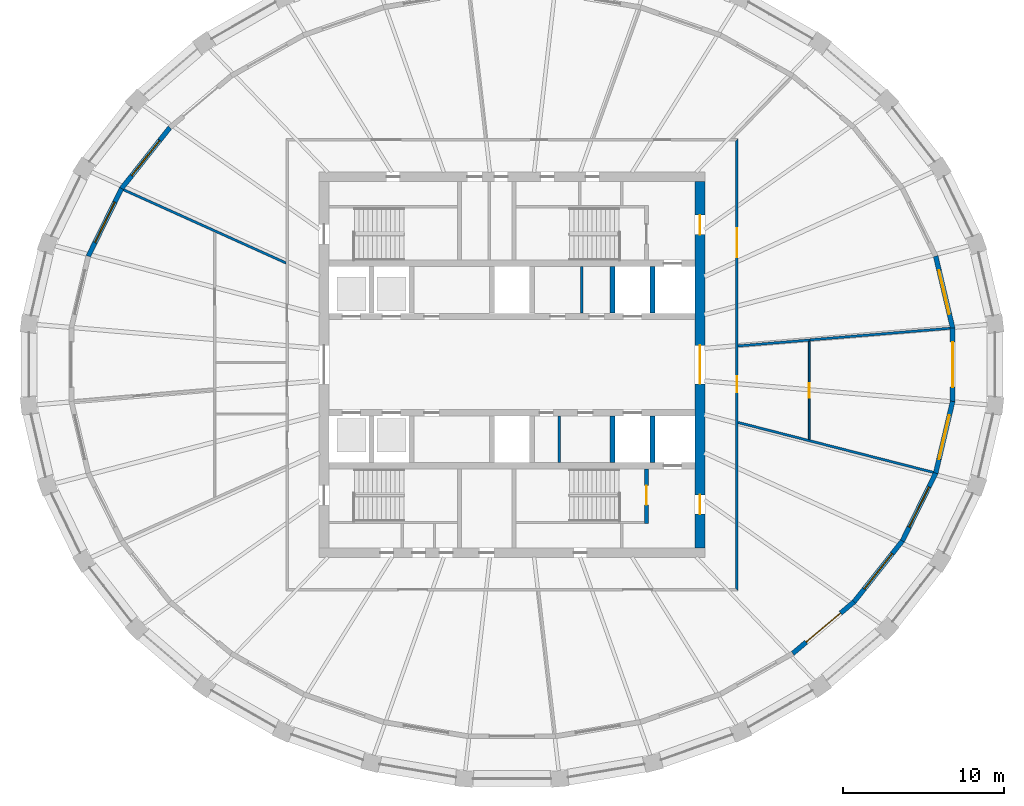
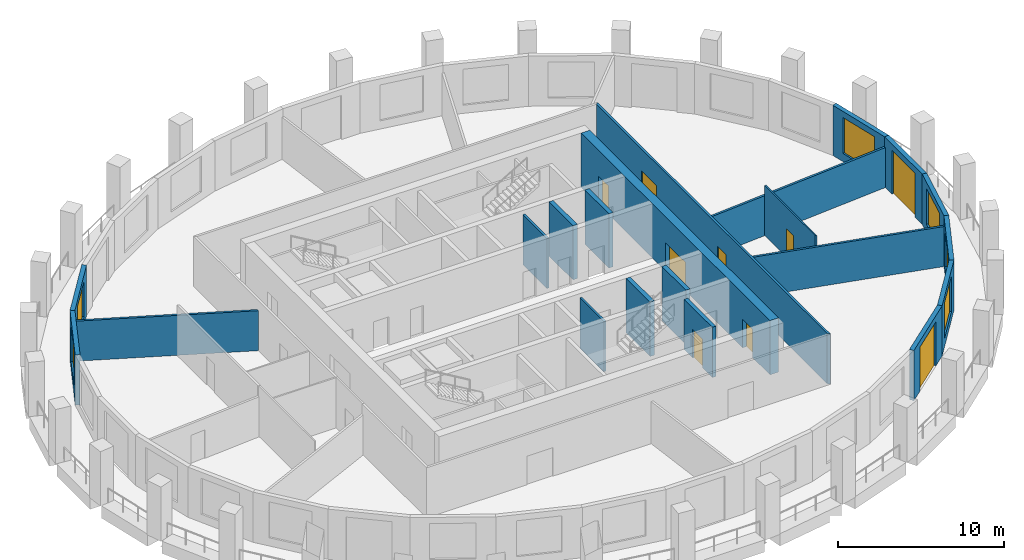
# One storey, part 5 of 10: 22 walls, 9 doors, 6 windows, 15 openings.
"""IFC4 building model written with IfcOpenShell, lengths in metres."""

from ifc_helpers import new_model, si_unit, direction, frame, frame_2d, origin, place, context, subcontext, project, spatial, polyline, rectangle, outline, extrude, material, layer, layer_set, type_object, element, fill, save


model = new_model("IFC4")

# Units and contexts
model_context = context("Model", 3, precision=1e-05, world=origin(), true_north=direction((0.0, 1.0)))
body_context = subcontext(model_context, "Body", "Model", "MODEL_VIEW")
ifc_project = project(units=[si_unit("LENGTHUNIT", "METRE"), si_unit("AREAUNIT", "SQUARE_METRE"), si_unit("VOLUMEUNIT", "CUBIC_METRE"), si_unit("PLANEANGLEUNIT", "RADIAN"), si_unit("MASSUNIT", "GRAM", prefix="KILO")], contexts=[model_context])

# Site, building, storey
site_placement = place(None, origin())
site = spatial("IfcSite", under=ifc_project, at=site_placement, CompositionType="ELEMENT")
building_placement = place(site_placement, origin())
building = spatial("IfcBuilding", under=site, at=building_placement, Name="Halqa Exchange Tower", CompositionType="ELEMENT")
storey_placement = place(building_placement, frame((0.0, 0.0, 256.300048828125)))
storey = spatial("IfcBuildingStorey", under=building, at=storey_placement, Name="L59", CompositionType="ELEMENT", Elevation=256.300048828125)

# Wall
ifc_material_1 = material(Name="Fire-rated gypsum board")
ifc_layer_1 = layer(ifc_material_1, 0.14990234375)
ifc_layer_set_1 = layer_set([ifc_layer_1], Name="Fire-rated gypsum board")
wall_type_1 = type_object("IfcWallType", Name="Fire partition EI 60 150", PredefinedType="PARTITIONING", material=ifc_layer_set_1)
wall_1_placement = place(storey_placement, frame((-24.17626953125, 10.88671875, 0.0), z_axis=(0.0, 0.0, 1.0), x_axis=(0.911671004153, -0.410920892857, 0.0)))
element("IfcWall", 1, at=wall_1_placement, inside=storey, type_object=wall_type_1, Name="L59-PWL-002", PredefinedType="PARTITIONING", context=body_context, shape_type="SweptSolid", body=[
    extrude(outline(polyline([(0.0, -0.074951171875), (1.583984375, -0.074951171875), (3.167724609375, -0.074951171875), (4.751708984375, -0.074951171875), (6.33544921875, -0.074951171875), (6.341064453125, -0.072509765625), (6.34228515625, -0.074951171875), (7.9326171875, -0.074951171875), (9.52294921875, -0.074951171875), (11.11328125, -0.074951171875), (11.11328125, -0.073974609375), (11.09716796875, -0.038330078125), (11.09716796875, -0.038330078125), (11.046142578125, 0.074951171875), (9.20849609375, 0.074951171875), (7.37109375, 0.074951171875), (5.533447265625, 0.074951171875), (3.69580078125, 0.074951171875), (1.8583984375, 0.074951171875), (0.020751953125, 0.074951171875), (0.002197265625, 0.0009765625), (0.0, -0.0625), (0.0, -0.074951171875)])), origin(), (0.0, 0.0, 1.0), 2.947021484375),
])

# Wall, openings, doors
wall_2_placement = place(storey_placement, frame((14.0, -14.074951171875, 0.0), z_axis=(0.0, 0.0, 1.0), x_axis=(0.0, 1.0, 0.0)))
wall_2 = element("IfcWall", 2, at=wall_2_placement, inside=storey, type_object=wall_type_1, Name="L59-PWL-017", PredefinedType="PARTITIONING", context=body_context, shape_type="SweptSolid", body=[
    extrude(outline(polyline([(0.0, -0.074951171875), (1.876708984375, -0.074951171875), (3.75341796875, -0.074951171875), (5.6298828125, -0.074951171875), (7.506591796875, -0.074951171875), (9.38330078125, -0.074951171875), (11.260009765625, -0.074951171875), (13.13671875, -0.074951171875), (15.01318359375, -0.074951171875), (16.889892578125, -0.074951171875), (18.7666015625, -0.074951171875), (20.643310546875, -0.074951171875), (22.52001953125, -0.074951171875), (24.396484375, -0.074951171875), (26.273193359375, -0.074951171875), (28.14990234375, -0.074951171875), (28.0, 0.074951171875), (26.0107421875, 0.074951171875), (24.021484375, 0.074951171875), (22.0322265625, 0.074951171875), (20.042724609375, 0.074951171875), (18.053466796875, 0.074951171875), (16.064208984375, 0.074951171875), (14.074951171875, 0.074951171875), (12.085693359375, 0.074951171875), (10.096435546875, 0.074951171875), (8.107177734375, 0.074951171875), (6.11767578125, 0.074951171875), (4.12841796875, 0.074951171875), (2.13916015625, 0.074951171875), (0.14990234375, 0.074951171875), (0.0, -0.074951171875)])), origin(), (0.0, 0.0, 1.0), 3.699951171875),
])
opening_1_placement = place(wall_2_placement, frame((12.364990234375, 0.0, 0.0)))
opening_1 = element("IfcOpeningElement", 3, at=opening_1_placement, cuts=wall_2, Name="Opening 18-02", PredefinedType="OPENING", context=body_context, shape_type="SweptSolid", body=[
    extrude(rectangle(XDim=1.0, YDim=2.10009765625, at=frame_2d((0.5, 1.050048828125))), frame((0.0, 0.0869140625, 0.0), z_axis=(0.0, -1.0, 0.0), x_axis=(1.0, 0.0, 0.0)), (0.0, 0.0, 1.0), 0.173828125),
])
opening_2_placement = place(wall_2_placement, frame((20.7548828125, 0.0, 0.0)))
opening_2 = element("IfcOpeningElement", 4, at=opening_2_placement, cuts=wall_2, Name="Opening 18-03", PredefinedType="OPENING", context=body_context, shape_type="SweptSolid", body=[
    extrude(rectangle(XDim=1.800048828125, YDim=2.10009765625, at=frame_2d((0.89990234375, 1.050048828125))), frame((0.0, 0.0869140625, 0.0), z_axis=(0.0, -1.0, 0.0), x_axis=(1.0, 0.0, 0.0)), (0.0, 0.0, 1.0), 0.173828125),
])
ifc_material_2 = material(Name="Steel fire door leaf", Category="steel")
door_type_1 = type_object("IfcDoorType", Name="Fire door FD30S 1000 x 2100", OperationType="SINGLE_SWING_LEFT", PredefinedType="DOOR", material=ifc_material_2)
door_1_placement = place(opening_1_placement, frame((1.0, 0.0, 0.0), z_axis=(0.0, 0.0, 1.0), x_axis=(-1.0, 0.0, 0.0)))
door_1 = element("IfcDoor", 5, at=door_1_placement, inside=storey, type_object=door_type_1, Name="L59-IDR-002", OperationType="SINGLE_SWING_RIGHT", OverallHeight=2.10009765625, OverallWidth=1.0, PredefinedType="DOOR", context=body_context, shape_type="SweptSolid", body=[
    extrude(rectangle(XDim=1.0, YDim=2.10009765625, at=frame_2d((0.5, 1.050048828125))), frame((0.0, 0.02490234375, 0.0), z_axis=(0.0, -1.0, 0.0), x_axis=(1.0, 0.0, 0.0)), (0.0, 0.0, 1.0), 0.050048828125),
])
fill(opening_1, door_1)
door_type_2 = type_object("IfcDoorType", Name="Fire door FD30S double 1800 x 2100", OperationType="DOUBLE_DOOR_SINGLE_SWING", PredefinedType="DOOR", material=ifc_material_2)
door_2_placement = place(opening_2_placement, frame((1.800048828125, 0.0, 0.0), z_axis=(0.0, 0.0, 1.0), x_axis=(-1.0, 0.0, 0.0)))
door_2 = element("IfcDoor", 6, at=door_2_placement, inside=storey, type_object=door_type_2, Name="L59-IDR-003", OperationType="DOUBLE_DOOR_SINGLE_SWING", OverallHeight=2.10009765625, OverallWidth=1.800048828125, PredefinedType="DOOR", context=body_context, shape_type="SweptSolid", body=[
    extrude(rectangle(XDim=1.800048828125, YDim=2.10009765625, at=frame_2d((0.89990234375, 1.050048828125))), frame((0.0, 0.02490234375, 0.0), z_axis=(0.0, -1.0, 0.0), x_axis=(1.0, 0.0, 0.0)), (0.0, 0.0, 1.0), 0.050048828125),
])
fill(opening_2, door_2)

# Walls
wall_3_placement = place(storey_placement, frame((14.056640625, -3.594482421875, 0.0), z_axis=(0.0, 0.0, 1.0), x_axis=(0.968853358083, -0.24763515609, 0.0)))
element("IfcWall", 7, at=wall_3_placement, inside=storey, type_object=wall_type_1, Name="L59-PWL-018", PredefinedType="PARTITIONING", context=body_context, shape_type="SweptSolid", body=[
    extrude(outline(polyline([(0.0380859375, -0.074951171875), (1.8251953125, -0.074951171875), (3.612548828125, -0.074951171875), (5.399658203125, -0.074951171875), (7.186767578125, -0.074951171875), (8.973876953125, -0.074951171875), (10.76123046875, -0.074951171875), (12.54833984375, -0.074951171875), (12.563232421875, -0.003662109375), (12.563232421875, 0.066162109375), (12.56298828125, 0.074951171875), (10.768310546875, 0.074951171875), (8.9736328125, 0.074951171875), (7.178955078125, 0.074951171875), (5.38427734375, 0.074951171875), (3.58935546875, 0.074951171875), (1.794677734375, 0.074951171875), (0.0, 0.074951171875), (0.0, 0.07421875), (0.0380859375, -0.074951171875)])), origin(), (0.0, 0.0, 1.0), 2.947021484375),
])
wall_4_placement = place(storey_placement, frame((14.0693359375, 1.165771484375, 0.0), z_axis=(0.0, 0.0, 1.0), x_axis=(0.996636539938, 0.081948808782, 0.0)))
element("IfcWall", 8, at=wall_4_placement, inside=storey, type_object=wall_type_1, Name="L59-PWL-019", PredefinedType="PARTITIONING", context=body_context, shape_type="SweptSolid", body=[
    extrude(outline(polyline([(4.49560546875, -0.074951171875), (4.49560546875, -0.0029296875), (4.49560546875, 0.074951171875), (3.0009765625, 0.074951171875), (1.50634765625, 0.074951171875), (0.011962890625, 0.074951171875), (0.0, -0.069091796875), (0.0, -0.074951171875), (1.49853515625, -0.074951171875), (2.9970703125, -0.074951171875), (4.49560546875, -0.074951171875)])), origin(), (0.0, 0.0, 1.0), 2.947021484375),
])
wall_5_placement = place(storey_placement, frame((18.549072265625, 1.5439453125, 0.0), z_axis=(0.0, 0.0, 1.0), x_axis=(0.996604371019, 0.082339101686, 0.0)))
element("IfcWall", 9, at=wall_5_placement, inside=storey, type_object=wall_type_1, Name="L59-PWL-020", PredefinedType="PARTITIONING", context=body_context, shape_type="SweptSolid", body=[
    extrude(outline(polyline([(8.7529296875, -0.074951171875), (8.7529296875, 0.0390625), (8.74755859375, 0.074951171875), (6.998046875, 0.074951171875), (5.24853515625, 0.074951171875), (3.4990234375, 0.074951171875), (1.74951171875, 0.074951171875), (0.0, 0.074951171875), (0.0, -0.074951171875), (1.75048828125, -0.074951171875), (3.501220703125, -0.074951171875), (5.251708984375, -0.074951171875), (7.00244140625, -0.074951171875), (8.7529296875, -0.074951171875)])), origin(), (0.0, 0.0, 1.0), 2.947021484375),
])

# Wall, opening, door
ifc_material_3 = material(Name="Gypsum board")
ifc_layer_2 = layer(ifc_material_3, 0.10009765625)
ifc_layer_set_2 = layer_set([ifc_layer_2], Name="Gypsum board")
wall_type_2 = type_object("IfcWallType", Name="Partition 100 gypsum", PredefinedType="PARTITIONING", material=ifc_layer_set_2)
wall_6_placement = place(storey_placement, frame((18.5, 1.45849609375, 0.0), z_axis=(0.0, 0.0, 1.0), x_axis=(0.0, -1.0, 0.0)))
wall_6 = element("IfcWall", 10, at=wall_6_placement, inside=storey, type_object=wall_type_2, Name="L59-PWL-021", PredefinedType="PARTITIONING", context=body_context, shape_type="SweptSolid", body=[
    extrude(outline(polyline([(0.0078125, -0.050048828125), (1.530517578125, -0.050048828125), (3.05322265625, -0.050048828125), (4.575927734375, -0.050048828125), (6.098388671875, -0.050048828125), (6.1240234375, 0.050048828125), (6.1240234375, 0.050048828125), (4.593017578125, 0.050048828125), (3.06201171875, 0.050048828125), (1.531005859375, 0.050048828125), (0.0, 0.050048828125), (0.0, 0.046142578125), (0.0078125, -0.050048828125)])), origin(), (0.0, 0.0, 1.0), 3.699951171875),
])
opening_3_placement = place(wall_6_placement, frame((2.6083984375, 0.0, 0.0)))
opening_3 = element("IfcOpeningElement", 11, at=opening_3_placement, cuts=wall_6, Name="Opening 18-11", PredefinedType="OPENING", context=body_context, shape_type="SweptSolid", body=[
    extrude(rectangle(XDim=0.89990234375, YDim=2.10009765625, at=frame_2d((0.449951171875, 1.050048828125))), frame((0.0, 0.06201171875, 0.0), z_axis=(0.0, -1.0, 0.0), x_axis=(1.0, 0.0, 0.0)), (0.0, 0.0, 1.0), 0.1240234375),
])
ifc_material_4 = material(Name="Timber door leaf", Category="wood")
door_type_3 = type_object("IfcDoorType", Name="Door 900 x 2100", OperationType="SINGLE_SWING_LEFT", PredefinedType="DOOR", material=ifc_material_4)
door_3_placement = place(opening_3_placement, frame((0.89990234375, 0.0, 0.0), z_axis=(0.0, 0.0, 1.0), x_axis=(-1.0, 0.0, 0.0)))
door_3 = element("IfcDoor", 12, at=door_3_placement, inside=storey, type_object=door_type_3, Name="L59-IDR-011", OperationType="SINGLE_SWING_LEFT", OverallHeight=2.10009765625, OverallWidth=0.89990234375, PredefinedType="DOOR", context=body_context, shape_type="SweptSolid", body=[
    extrude(rectangle(XDim=0.89990234375, YDim=2.10009765625, at=frame_2d((0.449951171875, 1.050048828125))), frame((0.0, 0.02490234375, 0.0), z_axis=(0.0, -1.0, 0.0), x_axis=(1.0, 0.0, 0.0)), (0.0, 0.0, 1.0), 0.050048828125),
])
fill(opening_3, door_3)

# Walls
ifc_layer_3 = layer(ifc_material_3, 0.14990234375)
ifc_layer_set_3 = layer_set([ifc_layer_3], Name="Gypsum board")
wall_type_3 = type_object("IfcWallType", Name="Penthouse riser wall 150 gypsum", PredefinedType="PARTITIONING", material=ifc_layer_set_3)
for number, where, z_axis, x_axis, name in (
    (13, (4.35009765625, 3.199951171875, 0.0), (0.0, 0.0, 1.0), (0.0, 1.0, 0.0), "Freed bay partition NE4.350"),
    (14, (2.949951171875, -6.10009765625, 0.0), (0.0, 0.0, 1.0), (0.0, 1.0, 0.0), "Freed bay partition SE2.950"),
):
    element("IfcWall", number, at=place(storey_placement, frame(where, z_axis=z_axis, x_axis=x_axis)), inside=storey, type_object=wall_type_3, Name=name, PredefinedType="PARTITIONING", context=body_context, shape_type="SweptSolid", body=[
        extrude(rectangle(XDim=2.900146484375, YDim=0.14990234375, at=frame_2d((1.4501953125, 0.0))), origin(), (0.0, 0.0, 1.0), 3.699951171875),
    ])
ifc_material_5 = material(Name="Concrete C60/75", Category="concrete")
ifc_layer_4 = layer(ifc_material_5, 0.300048828125)
ifc_layer_set_4 = layer_set([ifc_layer_4], Name="Concrete C60/75")
wall_type_4 = type_object("IfcWallType", Name="RC core wall 300", PredefinedType="SHEAR", material=ifc_layer_set_4)
for number, where, z_axis, x_axis, name in (
    (15, (6.25, 3.199951171875, 0.0), (0.0, 0.0, 1.0), (0.0, 1.0, 0.0), "Shaft divider N7"),
    (16, (8.75, 3.199951171875, 0.0), (0.0, 0.0, 1.0), (0.0, 1.0, 0.0), "Shaft divider N8"),
    (17, (6.25, -6.10009765625, 0.0), (0.0, 0.0, 1.0), (0.0, 1.0, 0.0), "Shaft divider S7"),
    (18, (8.75, -6.10009765625, 0.0), (0.0, 0.0, 1.0), (0.0, 1.0, 0.0), "Shaft divider S8"),
):
    element("IfcWall", number, at=place(storey_placement, frame(where, z_axis=z_axis, x_axis=x_axis)), inside=storey, type_object=wall_type_4, Name=name, PredefinedType="SHEAR", context=body_context, shape_type="SweptSolid", body=[
        extrude(rectangle(XDim=2.900146484375, YDim=0.300048828125, at=frame_2d((1.4501953125, 0.0))), origin(), (0.0, 0.0, 1.0), 4.0),
    ])

# Wall, openings, doors
ifc_layer_5 = layer(ifc_material_5, 0.60009765625)
ifc_layer_set_5 = layer_set([ifc_layer_5], Name="Concrete C60/75")
wall_type_5 = type_object("IfcWallType", Name="RC core wall 600 C60/75", PredefinedType="SHEAR", material=ifc_layer_set_5)
wall_7_placement = place(storey_placement, frame((11.699951171875, -11.39990234375, 0.0), z_axis=(0.0, 0.0, 1.0), x_axis=(0.0, 1.0, 0.0)))
wall_7 = element("IfcWall", 19, at=wall_7_placement, inside=storey, type_object=wall_type_5, Name="Core wall east", PredefinedType="SHEAR", context=body_context, shape_type="SweptSolid", body=[
    extrude(rectangle(XDim=22.7998046875, YDim=0.60009765625, at=frame_2d((11.39990234375, 0.0))), origin(), (0.0, 0.0, 1.0), 4.0),
])
opening_4_placement = place(wall_7_placement, frame((10.199951171875, 0.0, 0.0)))
opening_4 = element("IfcOpeningElement", 20, at=opening_4_placement, cuts=wall_7, Name="Opening T18-C10", PredefinedType="OPENING", context=body_context, shape_type="SweptSolid", body=[
    extrude(rectangle(XDim=2.39990234375, YDim=2.10009765625, at=frame_2d((1.199951171875, 1.050048828125))), frame((0.0, 0.31201171875, 0.0), z_axis=(0.0, -1.0, 0.0), x_axis=(1.0, 0.0, 0.0)), (0.0, 0.0, 1.0), 0.6240234375),
])
opening_5_placement = place(wall_7_placement, frame((19.5, 0.0, 0.0)))
opening_5 = element("IfcOpeningElement", 21, at=opening_5_placement, cuts=wall_7, Name="Opening T18-C15", PredefinedType="OPENING", context=body_context, shape_type="SweptSolid", body=[
    extrude(rectangle(XDim=1.199951171875, YDim=2.10009765625, at=frame_2d((0.60009765625, 1.050048828125))), frame((0.0, 0.31201171875, 0.0), z_axis=(0.0, -1.0, 0.0), x_axis=(1.0, 0.0, 0.0)), (0.0, 0.0, 1.0), 0.6240234375),
])
opening_6_placement = place(wall_7_placement, frame((2.10009765625, 0.0, 0.0)))
opening_6 = element("IfcOpeningElement", 22, at=opening_6_placement, cuts=wall_7, Name="Opening T18-C16", PredefinedType="OPENING", context=body_context, shape_type="SweptSolid", body=[
    extrude(rectangle(XDim=1.199951171875, YDim=2.10009765625, at=frame_2d((0.60009765625, 1.050048828125))), frame((0.0, 0.31201171875, 0.0), z_axis=(0.0, -1.0, 0.0), x_axis=(1.0, 0.0, 0.0)), (0.0, 0.0, 1.0), 0.6240234375),
])
door_type_4 = type_object("IfcDoorType", Name="Firefighting lobby door FD90 1200 x 2100", OperationType="SINGLE_SWING_RIGHT", PredefinedType="DOOR", material=ifc_material_2)
door_4_placement = place(opening_5_placement, origin())
door_4 = element("IfcDoor", 23, at=door_4_placement, inside=storey, type_object=door_type_4, Name="Firefighting lobby door", OperationType="SINGLE_SWING_RIGHT", OverallHeight=2.10009765625, OverallWidth=1.199951171875, PredefinedType="DOOR", context=body_context, shape_type="SweptSolid", body=[
    extrude(rectangle(XDim=1.199951171875, YDim=2.10009765625, at=frame_2d((0.60009765625, 1.050048828125))), frame((0.0, 0.02490234375, 0.0), z_axis=(0.0, -1.0, 0.0), x_axis=(1.0, 0.0, 0.0)), (0.0, 0.0, 1.0), 0.050048828125),
])
fill(opening_5, door_4)
door_5_placement = place(opening_6_placement, origin())
door_5 = element("IfcDoor", 24, at=door_5_placement, inside=storey, type_object=door_type_4, Name="Firefighting lobby door", OperationType="SINGLE_SWING_LEFT", OverallHeight=2.10009765625, OverallWidth=1.199951171875, PredefinedType="DOOR", context=body_context, shape_type="SweptSolid", body=[
    extrude(rectangle(XDim=1.199951171875, YDim=2.10009765625, at=frame_2d((0.60009765625, 1.050048828125))), frame((0.0, 0.02490234375, 0.0), z_axis=(0.0, -1.0, 0.0), x_axis=(1.0, 0.0, 0.0)), (0.0, 0.0, 1.0), 0.050048828125),
])
fill(opening_6, door_5)
door_type_5 = type_object("IfcDoorType", Name="Lobby double door FD60 2400 x 2100", OperationType="DOUBLE_DOOR_SINGLE_SWING", PredefinedType="DOOR", material=ifc_material_2)
door_6_placement = place(opening_4_placement, origin())
door_6 = element("IfcDoor", 25, at=door_6_placement, inside=storey, type_object=door_type_5, Name="Lift lobby double door", OperationType="DOUBLE_DOOR_SINGLE_SWING", OverallHeight=2.10009765625, OverallWidth=2.39990234375, PredefinedType="DOOR", context=body_context, shape_type="SweptSolid", body=[
    extrude(rectangle(XDim=2.39990234375, YDim=2.10009765625, at=frame_2d((1.199951171875, 1.050048828125))), frame((0.0, 0.02490234375, 0.0), z_axis=(0.0, -1.0, 0.0), x_axis=(1.0, 0.0, 0.0)), (0.0, 0.0, 1.0), 0.050048828125),
])
fill(opening_4, door_6)

# Wall, opening, door
ifc_material_6 = material(Name="Concrete C30/37", Category="concrete")
ifc_layer_6 = layer(ifc_material_6, 0.25)
ifc_layer_set_6 = layer_set([ifc_layer_6], Name="Concrete C30/37")
wall_type_6 = type_object("IfcWallType", Name="RC stair wall 250 C30/37", PredefinedType="SHEAR", material=ifc_layer_set_6)
wall_8_placement = place(storey_placement, frame((8.375, -9.89990234375, 0.0), z_axis=(0.0, 0.0, 1.0), x_axis=(0.0, 1.0, 0.0)))
wall_8 = element("IfcWall", 26, at=wall_8_placement, inside=storey, type_object=wall_type_6, Name="Stair ST2 east wall S", PredefinedType="SHEAR", context=body_context, shape_type="SweptSolid", body=[
    extrude(rectangle(XDim=3.39990234375, YDim=0.25, at=frame_2d((1.699951171875, 0.0))), origin(), (0.0, 0.0, 1.0), 3.699951171875),
])
opening_7_placement = place(wall_8_placement, frame((1.175048828125, 0.0, 0.0)))
opening_7 = element("IfcOpeningElement", 27, at=opening_7_placement, cuts=wall_8, Name="Opening T18-C14", PredefinedType="OPENING", context=body_context, shape_type="SweptSolid", body=[
    extrude(rectangle(XDim=1.199951171875, YDim=2.10009765625, at=frame_2d((0.60009765625, 1.050048828125))), frame((0.0, 0.136962890625, 0.0), z_axis=(0.0, -1.0, 0.0), x_axis=(1.0, 0.0, 0.0)), (0.0, 0.0, 1.0), 0.27392578125),
])
door_type_6 = type_object("IfcDoorType", Name="Stair door FD90 1200 x 2100", OperationType="SINGLE_SWING_LEFT", PredefinedType="DOOR", material=ifc_material_2)
door_7_placement = place(opening_7_placement, origin())
door_7 = element("IfcDoor", 28, at=door_7_placement, inside=storey, type_object=door_type_6, Name="Stair door ST4", OperationType="SINGLE_SWING_RIGHT", OverallHeight=2.10009765625, OverallWidth=1.199951171875, PredefinedType="DOOR", context=body_context, shape_type="SweptSolid", body=[
    extrude(rectangle(XDim=1.199951171875, YDim=2.10009765625, at=frame_2d((0.60009765625, 1.050048828125))), frame((0.0, 0.02490234375, 0.0), z_axis=(0.0, -1.0, 0.0), x_axis=(1.0, 0.0, 0.0)), (0.0, 0.0, 1.0), 0.050048828125),
])
fill(opening_7, door_7)

# Wall, opening, window
ifc_material_7 = material(Name="Limestone cladding", Category="masonry")
ifc_layer_7 = layer(ifc_material_7, 0.0400390625)
ifc_material_8 = material(Name="Ventilated cavity")
ifc_layer_8 = layer(ifc_material_8, 0.030029296875, ventilated=True)
ifc_material_9 = material(Name="Mineral wool insulation")
ifc_layer_9 = layer(ifc_material_9, 0.10009765625)
ifc_layer_10 = layer(ifc_material_6, 0.10009765625)
ifc_material_10 = material(Name="Internal plaster")
ifc_layer_11 = layer(ifc_material_10, 0.030029296875)
ifc_layer_set_7 = layer_set([ifc_layer_7, ifc_layer_8, ifc_layer_9, ifc_layer_10, ifc_layer_11], Name="Stone-faced insulated wall 300")
wall_type_7 = type_object("IfcWallType", Name="Stone-faced insulated wall 300", PredefinedType="STANDARD", material=ifc_layer_set_7)
wall_9_placement = place(storey_placement, frame((27.428466796875, 2.28125, 0.0), z_axis=(0.0, 0.0, 1.0), x_axis=(-0.229767529411, 0.973245540667, 0.0)))
wall_9 = element("IfcWall", 29, at=wall_9_placement, inside=storey, type_object=wall_type_7, Name="Glass-line wall 1", PredefinedType="STANDARD", context=body_context, shape_type="SweptSolid", body=[
    extrude(outline(polyline([(-0.017578125, -0.14990234375), (4.613525390625, -0.14990234375), (4.579833984375, 0.14990234375), (0.017578125, 0.14990234375), (-0.017578125, -0.14990234375)])), origin(), (0.0, 0.0, 1.0), 3.699951171875),
])
opening_8_placement = place(wall_9_placement, frame((0.8984375, 0.0, 0.60009765625)))
opening_8 = element("IfcOpeningElement", 30, at=opening_8_placement, cuts=wall_9, Name="Opening W-F4-01", PredefinedType="OPENING", context=body_context, shape_type="SweptSolid", body=[
    extrude(rectangle(XDim=2.800048828125, YDim=2.64990234375, at=frame_2d((1.39990234375, 1.324951171875))), frame((0.0, 0.162109375, 0.0), z_axis=(0.0, -1.0, 0.0), x_axis=(1.0, 0.0, 0.0)), (0.0, 0.0, 1.0), 0.323974609375),
])
ifc_material_11 = material(Name="Clear low-emissivity glass in aluminium frame", Category="aluminium")
window_type = type_object("IfcWindowType", Name="Fixed clear glazed window 2800 x 2650", PartitioningType="DOUBLE_PANEL_VERTICAL", PredefinedType="WINDOW", material=ifc_material_11)
window_1_placement = place(opening_8_placement, origin())
window_1 = element("IfcWindow", 31, at=window_1_placement, inside=storey, type_object=window_type, Name="Window 4", OverallHeight=2.64990234375, OverallWidth=2.800048828125, PartitioningType="DOUBLE_PANEL_VERTICAL", PredefinedType="WINDOW", context=body_context, shape_type="SweptSolid", body=[
    extrude(rectangle(XDim=2.800048828125, YDim=2.64990234375, at=frame_2d((1.39990234375, 1.324951171875))), frame((0.0, 0.030029296875, 0.0), z_axis=(0.0, -1.0, 0.0), x_axis=(1.0, 0.0, 0.0)), (0.0, 0.0, 1.0), 0.06005859375),
])
fill(opening_8, window_1)

wall_10_placement = place(storey_placement, frame((-21.296875, 14.756103515625, 0.0), z_axis=(0.0, 0.0, 1.0), x_axis=(-0.621358373565, -0.783526497063, 0.0)))
wall_10 = element("IfcWall", 32, at=wall_10_placement, inside=storey, type_object=wall_type_7, Name="Glass-line wall 13", PredefinedType="STANDARD", context=body_context, shape_type="SweptSolid", body=[
    extrude(outline(polyline([(-0.01513671875, -0.14990234375), (4.851806640625, -0.14990234375), (4.819580078125, 0.14990234375), (0.01513671875, 0.14990234375), (-0.01513671875, -0.14990234375)])), origin(), (0.0, 0.0, 1.0), 3.699951171875),
])
opening_9_placement = place(wall_10_placement, frame((1.017578125, 0.0, 0.60009765625)))
opening_9 = element("IfcOpeningElement", 33, at=opening_9_placement, cuts=wall_10, Name="Opening W-F4-13", PredefinedType="OPENING", context=body_context, shape_type="SweptSolid", body=[
    extrude(rectangle(XDim=2.800048828125, YDim=2.64990234375, at=frame_2d((1.39990234375, 1.324951171875))), frame((0.0, 0.162109375, 0.0), z_axis=(0.0, -1.0, 0.0), x_axis=(1.0, 0.0, 0.0)), (0.0, 0.0, 1.0), 0.323974609375),
])
window_2_placement = place(opening_9_placement, origin())
window_2 = element("IfcWindow", 34, at=window_2_placement, inside=storey, type_object=window_type, Name="Window 4", OverallHeight=2.64990234375, OverallWidth=2.800048828125, PartitioningType="DOUBLE_PANEL_VERTICAL", PredefinedType="WINDOW", context=body_context, shape_type="SweptSolid", body=[
    extrude(rectangle(XDim=2.800048828125, YDim=2.64990234375, at=frame_2d((1.39990234375, 1.324951171875))), frame((0.0, 0.030029296875, 0.0), z_axis=(0.0, -1.0, 0.0), x_axis=(1.0, 0.0, 0.0)), (0.0, 0.0, 1.0), 0.06005859375),
])
fill(opening_9, window_2)

wall_11_placement = place(storey_placement, frame((-24.301513671875, 10.96728515625, 0.0), z_axis=(0.0, 0.0, 1.0), x_axis=(-0.441169971308, -0.89742356578, 0.0)))
wall_11 = element("IfcWall", 35, at=wall_11_placement, inside=storey, type_object=wall_type_7, Name="Glass-line wall 14", PredefinedType="STANDARD", context=body_context, shape_type="SweptSolid", body=[
    extrude(outline(polyline([(-0.01611328125, -0.14990234375), (4.710693359375, -0.14990234375), (4.677001953125, 0.14990234375), (0.01611328125, 0.14990234375), (-0.01611328125, -0.14990234375)])), origin(), (0.0, 0.0, 1.0), 3.699951171875),
])
opening_10_placement = place(wall_11_placement, frame((0.947021484375, 0.0, 0.60009765625)))
opening_10 = element("IfcOpeningElement", 36, at=opening_10_placement, cuts=wall_11, Name="Opening W-F4-14", PredefinedType="OPENING", context=body_context, shape_type="SweptSolid", body=[
    extrude(rectangle(XDim=2.800048828125, YDim=2.64990234375, at=frame_2d((1.39990234375, 1.324951171875))), frame((0.0, 0.162109375, 0.0), z_axis=(0.0, -1.0, 0.0), x_axis=(1.0, 0.0, 0.0)), (0.0, 0.0, 1.0), 0.323974609375),
])
window_3_placement = place(opening_10_placement, origin())
window_3 = element("IfcWindow", 37, at=window_3_placement, inside=storey, type_object=window_type, Name="Window 4", OverallHeight=2.64990234375, OverallWidth=2.800048828125, PartitioningType="DOUBLE_PANEL_VERTICAL", PredefinedType="WINDOW", context=body_context, shape_type="SweptSolid", body=[
    extrude(rectangle(XDim=2.800048828125, YDim=2.64990234375, at=frame_2d((1.39990234375, 1.324951171875))), frame((0.0, 0.030029296875, 0.0), z_axis=(0.0, -1.0, 0.0), x_axis=(1.0, 0.0, 0.0)), (0.0, 0.0, 1.0), 0.06005859375),
])
fill(opening_10, window_3)

# Wall, opening, door
wall_12_placement = place(storey_placement, frame((17.474853515625, -17.976318359375, 0.0), z_axis=(0.0, 0.0, 1.0), x_axis=(0.764746492461, 0.644331283013, 0.0)))
wall_12 = element("IfcWall", 38, at=wall_12_placement, inside=storey, type_object=wall_type_7, Name="Glass-line wall 28", PredefinedType="STANDARD", context=body_context, shape_type="SweptSolid", body=[
    extrude(outline(polyline([(-0.01416015625, -0.14990234375), (5.012939453125, -0.14990234375), (4.982666015625, 0.14990234375), (0.01416015625, 0.14990234375), (-0.01416015625, -0.14990234375)])), origin(), (0.0, 0.0, 1.0), 3.699951171875),
])
opening_11_placement = place(wall_12_placement, frame((1.098876953125, 0.0, 0.0)))
opening_11 = element("IfcOpeningElement", 39, at=opening_11_placement, cuts=wall_12, Name="Opening LG-F4-07", PredefinedType="OPENING", context=body_context, shape_type="SweptSolid", body=[
    extrude(rectangle(XDim=2.800048828125, YDim=3.25, at=frame_2d((1.39990234375, 1.625))), frame((0.0, 0.162109375, 0.0), z_axis=(0.0, -1.0, 0.0), x_axis=(1.0, 0.0, 0.0)), (0.0, 0.0, 1.0), 0.323974609375),
])
door_type_7 = type_object("IfcDoorType", Name="Glazed sliding loggia door 2800 x 3250", OperationType="DOUBLE_DOOR_SLIDING", PredefinedType="DOOR", material=ifc_material_11)
door_8_placement = place(opening_11_placement, origin())
door_8 = element("IfcDoor", 40, at=door_8_placement, inside=storey, type_object=door_type_7, Name="Loggia door 7", OperationType="DOUBLE_DOOR_SLIDING", OverallHeight=3.25, OverallWidth=2.800048828125, PredefinedType="DOOR", context=body_context, shape_type="SweptSolid", body=[
    extrude(rectangle(XDim=2.800048828125, YDim=3.25, at=frame_2d((1.39990234375, 1.625))), frame((0.0, 0.02490234375, 0.0), z_axis=(0.0, -1.0, 0.0), x_axis=(1.0, 0.0, 0.0)), (0.0, 0.0, 1.0), 0.050048828125),
])
fill(opening_11, door_8)

# Wall, opening, window
wall_13_placement = place(storey_placement, frame((21.296875, -14.756103515625, 0.0), z_axis=(0.0, 0.0, 1.0), x_axis=(0.621358373565, 0.783526497063, 0.0)))
wall_13 = element("IfcWall", 41, at=wall_13_placement, inside=storey, type_object=wall_type_7, Name="Glass-line wall 29", PredefinedType="STANDARD", context=body_context, shape_type="SweptSolid", body=[
    extrude(outline(polyline([(-0.01513671875, -0.14990234375), (4.851806640625, -0.14990234375), (4.819580078125, 0.14990234375), (0.01513671875, 0.14990234375), (-0.01513671875, -0.14990234375)])), origin(), (0.0, 0.0, 1.0), 3.699951171875),
])
opening_12_placement = place(wall_13_placement, frame((1.017578125, 0.0, 0.60009765625)))
opening_12 = element("IfcOpeningElement", 42, at=opening_12_placement, cuts=wall_13, Name="Opening W-F4-29", PredefinedType="OPENING", context=body_context, shape_type="SweptSolid", body=[
    extrude(rectangle(XDim=2.800048828125, YDim=2.64990234375, at=frame_2d((1.39990234375, 1.324951171875))), frame((0.0, 0.162109375, 0.0), z_axis=(0.0, -1.0, 0.0), x_axis=(1.0, 0.0, 0.0)), (0.0, 0.0, 1.0), 0.323974609375),
])
window_4_placement = place(opening_12_placement, origin())
window_4 = element("IfcWindow", 43, at=window_4_placement, inside=storey, type_object=window_type, Name="Window 4", OverallHeight=2.64990234375, OverallWidth=2.800048828125, PartitioningType="DOUBLE_PANEL_VERTICAL", PredefinedType="WINDOW", context=body_context, shape_type="SweptSolid", body=[
    extrude(rectangle(XDim=2.800048828125, YDim=2.64990234375, at=frame_2d((1.39990234375, 1.324951171875))), frame((0.0, 0.030029296875, 0.0), z_axis=(0.0, -1.0, 0.0), x_axis=(1.0, 0.0, 0.0)), (0.0, 0.0, 1.0), 0.06005859375),
])
fill(opening_12, window_4)

wall_14_placement = place(storey_placement, frame((24.301513671875, -10.96728515625, 0.0), z_axis=(0.0, 0.0, 1.0), x_axis=(0.441169971308, 0.89742356578, 0.0)))
wall_14 = element("IfcWall", 44, at=wall_14_placement, inside=storey, type_object=wall_type_7, Name="Glass-line wall 30", PredefinedType="STANDARD", context=body_context, shape_type="SweptSolid", body=[
    extrude(outline(polyline([(-0.01611328125, -0.14990234375), (4.710693359375, -0.14990234375), (4.677001953125, 0.14990234375), (0.01611328125, 0.14990234375), (-0.01611328125, -0.14990234375)])), origin(), (0.0, 0.0, 1.0), 3.699951171875),
])
opening_13_placement = place(wall_14_placement, frame((0.947021484375, 0.0, 0.60009765625)))
opening_13 = element("IfcOpeningElement", 45, at=opening_13_placement, cuts=wall_14, Name="Opening W-F4-30", PredefinedType="OPENING", context=body_context, shape_type="SweptSolid", body=[
    extrude(rectangle(XDim=2.800048828125, YDim=2.64990234375, at=frame_2d((1.39990234375, 1.324951171875))), frame((0.0, 0.162109375, 0.0), z_axis=(0.0, -1.0, 0.0), x_axis=(1.0, 0.0, 0.0)), (0.0, 0.0, 1.0), 0.323974609375),
])
window_5_placement = place(opening_13_placement, origin())
window_5 = element("IfcWindow", 46, at=window_5_placement, inside=storey, type_object=window_type, Name="Window 4", OverallHeight=2.64990234375, OverallWidth=2.800048828125, PartitioningType="DOUBLE_PANEL_VERTICAL", PredefinedType="WINDOW", context=body_context, shape_type="SweptSolid", body=[
    extrude(rectangle(XDim=2.800048828125, YDim=2.64990234375, at=frame_2d((1.39990234375, 1.324951171875))), frame((0.0, 0.030029296875, 0.0), z_axis=(0.0, -1.0, 0.0), x_axis=(1.0, 0.0, 0.0)), (0.0, 0.0, 1.0), 0.06005859375),
])
fill(opening_13, window_5)

wall_15_placement = place(storey_placement, frame((26.372314453125, -6.7548828125, 0.0), z_axis=(0.0, 0.0, 1.0), x_axis=(0.229767529411, 0.973245540667, 0.0)))
wall_15 = element("IfcWall", 47, at=wall_15_placement, inside=storey, type_object=wall_type_7, Name="Glass-line wall 31", PredefinedType="STANDARD", context=body_context, shape_type="SweptSolid", body=[
    extrude(outline(polyline([(-0.016845703125, -0.14990234375), (4.6142578125, -0.14990234375), (4.5791015625, 0.14990234375), (0.016845703125, 0.14990234375), (-0.016845703125, -0.14990234375)])), origin(), (0.0, 0.0, 1.0), 3.699951171875),
])
opening_14_placement = place(wall_15_placement, frame((0.8984375, 0.0, 0.60009765625)))
opening_14 = element("IfcOpeningElement", 48, at=opening_14_placement, cuts=wall_15, Name="Opening W-F4-31", PredefinedType="OPENING", context=body_context, shape_type="SweptSolid", body=[
    extrude(rectangle(XDim=2.800048828125, YDim=2.64990234375, at=frame_2d((1.39990234375, 1.324951171875))), frame((0.0, 0.162109375, 0.0), z_axis=(0.0, -1.0, 0.0), x_axis=(1.0, 0.0, 0.0)), (0.0, 0.0, 1.0), 0.323974609375),
])
window_6_placement = place(opening_14_placement, origin())
window_6 = element("IfcWindow", 49, at=window_6_placement, inside=storey, type_object=window_type, Name="Window 4", OverallHeight=2.64990234375, OverallWidth=2.800048828125, PartitioningType="DOUBLE_PANEL_VERTICAL", PredefinedType="WINDOW", context=body_context, shape_type="SweptSolid", body=[
    extrude(rectangle(XDim=2.800048828125, YDim=2.64990234375, at=frame_2d((1.39990234375, 1.324951171875))), frame((0.0, 0.030029296875, 0.0), z_axis=(0.0, -1.0, 0.0), x_axis=(1.0, 0.0, 0.0)), (0.0, 0.0, 1.0), 0.06005859375),
])
fill(opening_14, window_6)

# Wall, opening, door
wall_16_placement = place(storey_placement, frame((27.428466796875, -2.28125, 0.0), z_axis=(0.0, 0.0, 1.0), x_axis=(0.0, 1.0, 0.0)))
wall_16 = element("IfcWall", 50, at=wall_16_placement, inside=storey, type_object=wall_type_7, Name="Glass-line wall 32", PredefinedType="STANDARD", context=body_context, shape_type="SweptSolid", body=[
    extrude(outline(polyline([(-0.017578125, -0.14990234375), (4.580078125, -0.14990234375), (4.544921875, 0.14990234375), (0.017578125, 0.14990234375), (-0.017578125, -0.14990234375)])), origin(), (0.0, 0.0, 1.0), 3.699951171875),
])
opening_15_placement = place(wall_16_placement, frame((0.881103515625, 0.0, 0.0)))
opening_15 = element("IfcOpeningElement", 51, at=opening_15_placement, cuts=wall_16, Name="Opening LG-F4-08", PredefinedType="OPENING", context=body_context, shape_type="SweptSolid", body=[
    extrude(rectangle(XDim=2.800048828125, YDim=3.25, at=frame_2d((1.39990234375, 1.625))), frame((0.0, 0.162109375, 0.0), z_axis=(0.0, -1.0, 0.0), x_axis=(1.0, 0.0, 0.0)), (0.0, 0.0, 1.0), 0.323974609375),
])
door_9_placement = place(opening_15_placement, origin())
door_9 = element("IfcDoor", 52, at=door_9_placement, inside=storey, type_object=door_type_7, Name="Loggia door 8", OperationType="DOUBLE_DOOR_SLIDING", OverallHeight=3.25, OverallWidth=2.800048828125, PredefinedType="DOOR", context=body_context, shape_type="SweptSolid", body=[
    extrude(rectangle(XDim=2.800048828125, YDim=3.25, at=frame_2d((1.39990234375, 1.625))), frame((0.0, 0.02490234375, 0.0), z_axis=(0.0, -1.0, 0.0), x_axis=(1.0, 0.0, 0.0)), (0.0, 0.0, 1.0), 0.050048828125),
])
fill(opening_15, door_9)

save(model, "model.ifc")
